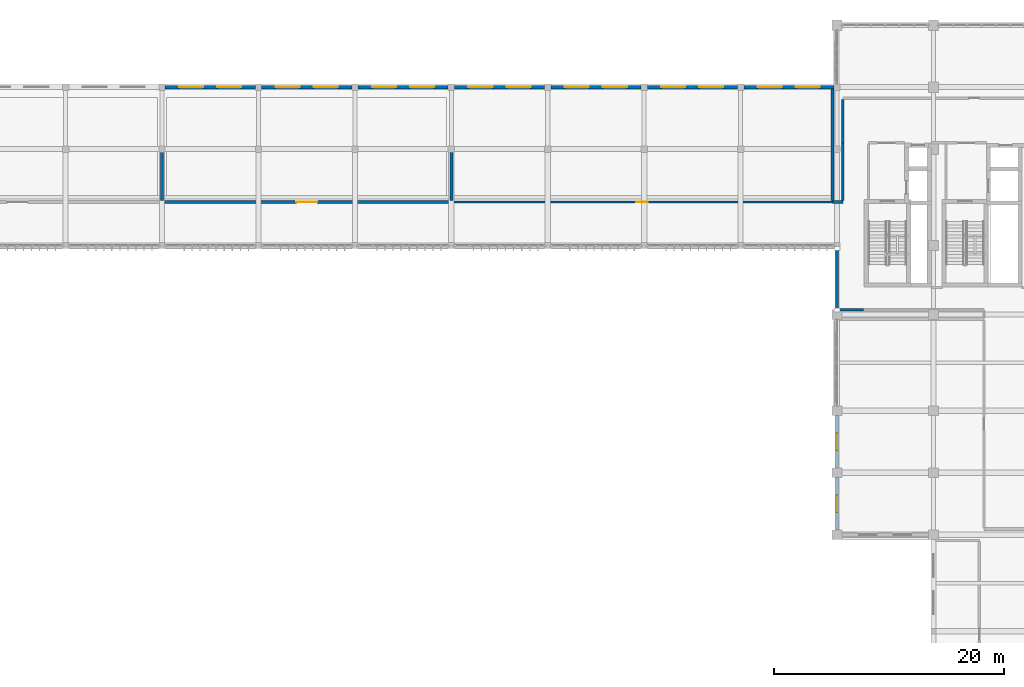
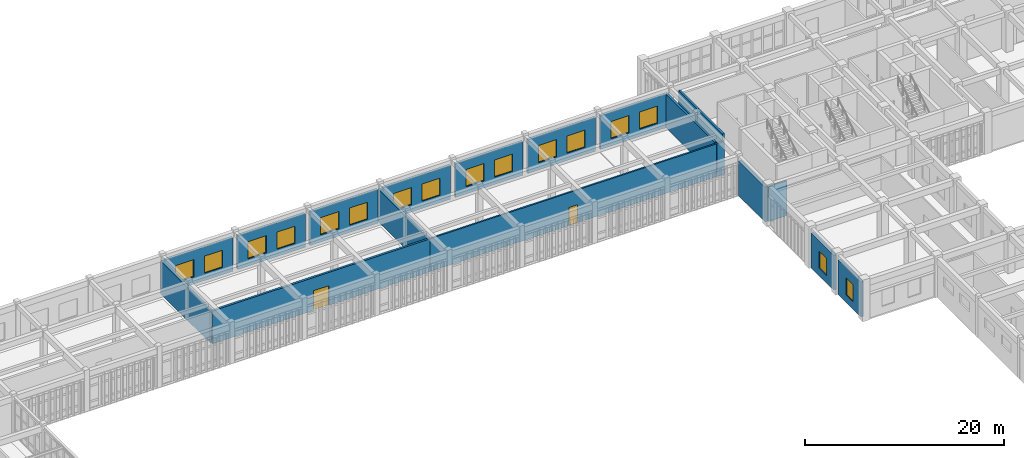
# One storey, part 92 of 106: 19 walls, 16 windows, 2 doors, 18 openings.
"""IFC4 building model written with IfcOpenShell, lengths in metres."""

from ifc_helpers import new_model, si_unit, direction, frame, frame_2d, origin, place, context, subcontext, project, spatial, rectangle, extrude, material, layer, layer_set, type_object, element, fill, save


model = new_model("IFC4")

# Units and contexts
model_context = context("Model", 3, precision=1e-05, world=origin(), true_north=direction((0.0, 1.0)))
body_context = subcontext(model_context, "Body", "Model", "MODEL_VIEW")
ifc_project = project(units=[si_unit("LENGTHUNIT", "METRE"), si_unit("AREAUNIT", "SQUARE_METRE"), si_unit("VOLUMEUNIT", "CUBIC_METRE"), si_unit("PLANEANGLEUNIT", "RADIAN"), si_unit("MASSUNIT", "GRAM", prefix="KILO")], contexts=[model_context])

# Site, building, storey
site_placement = place(None, origin())
site = spatial("IfcSite", under=ifc_project, at=site_placement, CompositionType="ELEMENT")
building_placement = place(site_placement, origin())
building = spatial("IfcBuilding", under=site, at=building_placement, Name="Krzemoval Escarpment Law Courts", CompositionType="ELEMENT")
storey_placement = place(building_placement, frame((0.0, 0.0, 5.10009765625)))
storey = spatial("IfcBuildingStorey", under=building, at=storey_placement, Name="L01", CompositionType="ELEMENT", Elevation=5.10009765625)

# Wall, openings, windows
ifc_material_1 = material(Name="Precast concrete C40/50", Category="concrete")
ifc_layer_1 = layer(ifc_material_1, 0.300048828125)
ifc_layer_set_1 = layer_set([ifc_layer_1], Name="Precast concrete C40/50")
wall_type_1 = type_object("IfcWallType", Name="WL-EXT-300", PredefinedType="SOLIDWALL", material=ifc_layer_set_1)
wall_1_placement = place(storey_placement, frame((67.47509765625, 113.39990234375, 0.0), z_axis=(0.0, 0.0, 1.0), x_axis=(1.0, 0.0, 0.0)))
wall_1 = element("IfcWall", 1, at=wall_1_placement, inside=storey, type_object=wall_type_1, Name="Exterior Wall EW-L01-0189", PredefinedType="SOLIDWALL", context=body_context, shape_type="SweptSolid", body=[
    extrude(rectangle(XDim=7.849853515625, YDim=0.300048828125, at=frame_2d((3.9248046875, 0.0))), origin(), (0.0, 0.0, 1.0), 4.119873046875),
])
opening_1_placement = place(wall_1_placement, frame((1.217041015625, 0.0, 0.89990234375)))
opening_1 = element("IfcOpeningElement", 2, at=opening_1_placement, cuts=wall_1, Name="Opening WN-L01-0173", PredefinedType="OPENING", context=body_context, shape_type="SweptSolid", body=[
    extrude(rectangle(XDim=2.10009765625, YDim=2.10009765625, at=frame_2d((1.050048828125, 1.050048828125))), frame((0.0, 0.16502, 0.0), z_axis=(0.0, -1.0, 0.0), x_axis=(1.0, 0.0, 0.0)), (0.0, 0.0, 1.0), 0.33005),
])
opening_2_placement = place(wall_1_placement, frame((4.532958984375, 0.0, 0.89990234375)))
opening_2 = element("IfcOpeningElement", 3, at=opening_2_placement, cuts=wall_1, Name="Opening WN-L01-0174", PredefinedType="OPENING", context=body_context, shape_type="SweptSolid", body=[
    extrude(rectangle(XDim=2.10009765625, YDim=2.10009765625, at=frame_2d((1.050048828125, 1.050048828125))), frame((0.0, 0.16502, 0.0), z_axis=(0.0, -1.0, 0.0), x_axis=(1.0, 0.0, 0.0)), (0.0, 0.0, 1.0), 0.33005),
])
ifc_material_2 = material(Name="Thermally Broken Aluminium Frame with Triple Low-E Acoustic Glass", Category="aluminium")
window_type_1 = type_object("IfcWindowType", Name="WN-2100x2100", PartitioningType="SINGLE_PANEL", PredefinedType="WINDOW", material=ifc_material_2)
window_1_placement = place(opening_1_placement, origin())
window_1 = element("IfcWindow", 4, at=window_1_placement, inside=storey, type_object=window_type_1, Name="Facade Window WN-L01-0173", OverallHeight=2.10009765625, OverallWidth=2.10009765625, PartitioningType="SINGLE_PANEL", PredefinedType="WINDOW", context=body_context, shape_type="SweptSolid", body=[
    extrude(rectangle(XDim=2.10009765625, YDim=2.10009765625, at=frame_2d((1.050048828125, 1.050048828125))), frame((0.0, 0.030029296875, 0.0), z_axis=(0.0, -1.0, 0.0), x_axis=(1.0, 0.0, 0.0)), (0.0, 0.0, 1.0), 0.06005859375),
])
fill(opening_1, window_1)
window_2_placement = place(opening_2_placement, origin())
window_2 = element("IfcWindow", 5, at=window_2_placement, inside=storey, type_object=window_type_1, Name="Facade Window WN-L01-0174", OverallHeight=2.10009765625, OverallWidth=2.10009765625, PartitioningType="SINGLE_PANEL", PredefinedType="WINDOW", context=body_context, shape_type="SweptSolid", body=[
    extrude(rectangle(XDim=2.10009765625, YDim=2.10009765625, at=frame_2d((1.050048828125, 1.050048828125))), frame((0.0, 0.030029296875, 0.0), z_axis=(0.0, -1.0, 0.0), x_axis=(1.0, 0.0, 0.0)), (0.0, 0.0, 1.0), 0.06005859375),
])
fill(opening_2, window_2)

wall_2_placement = place(storey_placement, frame((75.875, 113.39990234375, 0.0), z_axis=(0.0, 0.0, 1.0), x_axis=(1.0, 0.0, 0.0)))
wall_2 = element("IfcWall", 6, at=wall_2_placement, inside=storey, type_object=wall_type_1, Name="Exterior Wall EW-L01-0190", PredefinedType="SOLIDWALL", context=body_context, shape_type="SweptSolid", body=[
    extrude(rectangle(XDim=7.85009765625, YDim=0.300048828125, at=frame_2d((3.925048828125, 0.0))), origin(), (0.0, 0.0, 1.0), 4.119873046875),
])
opening_3_placement = place(wall_2_placement, frame((1.217041015625, 0.0, 0.89990234375)))
opening_3 = element("IfcOpeningElement", 7, at=opening_3_placement, cuts=wall_2, Name="Opening WN-L01-0175", PredefinedType="OPENING", context=body_context, shape_type="SweptSolid", body=[
    extrude(rectangle(XDim=2.10009765625, YDim=2.10009765625, at=frame_2d((1.050048828125, 1.050048828125))), frame((0.0, 0.16502, 0.0), z_axis=(0.0, -1.0, 0.0), x_axis=(1.0, 0.0, 0.0)), (0.0, 0.0, 1.0), 0.33005),
])
opening_4_placement = place(wall_2_placement, frame((4.532958984375, 0.0, 0.89990234375)))
opening_4 = element("IfcOpeningElement", 8, at=opening_4_placement, cuts=wall_2, Name="Opening WN-L01-0176", PredefinedType="OPENING", context=body_context, shape_type="SweptSolid", body=[
    extrude(rectangle(XDim=2.10009765625, YDim=2.10009765625, at=frame_2d((1.050048828125, 1.050048828125))), frame((0.0, 0.16502, 0.0), z_axis=(0.0, -1.0, 0.0), x_axis=(1.0, 0.0, 0.0)), (0.0, 0.0, 1.0), 0.33005),
])
window_3_placement = place(opening_3_placement, origin())
window_3 = element("IfcWindow", 9, at=window_3_placement, inside=storey, type_object=window_type_1, Name="Facade Window WN-L01-0175", OverallHeight=2.10009765625, OverallWidth=2.10009765625, PartitioningType="SINGLE_PANEL", PredefinedType="WINDOW", context=body_context, shape_type="SweptSolid", body=[
    extrude(rectangle(XDim=2.10009765625, YDim=2.10009765625, at=frame_2d((1.050048828125, 1.050048828125))), frame((0.0, 0.030029296875, 0.0), z_axis=(0.0, -1.0, 0.0), x_axis=(1.0, 0.0, 0.0)), (0.0, 0.0, 1.0), 0.06005859375),
])
fill(opening_3, window_3)
window_4_placement = place(opening_4_placement, origin())
window_4 = element("IfcWindow", 10, at=window_4_placement, inside=storey, type_object=window_type_1, Name="Facade Window WN-L01-0176", OverallHeight=2.10009765625, OverallWidth=2.10009765625, PartitioningType="SINGLE_PANEL", PredefinedType="WINDOW", context=body_context, shape_type="SweptSolid", body=[
    extrude(rectangle(XDim=2.10009765625, YDim=2.10009765625, at=frame_2d((1.050048828125, 1.050048828125))), frame((0.0, 0.030029296875, 0.0), z_axis=(0.0, -1.0, 0.0), x_axis=(1.0, 0.0, 0.0)), (0.0, 0.0, 1.0), 0.06005859375),
])
fill(opening_4, window_4)

wall_3_placement = place(storey_placement, frame((84.27490234375, 113.39990234375, 0.0), z_axis=(0.0, 0.0, 1.0), x_axis=(1.0, 0.0, 0.0)))
wall_3 = element("IfcWall", 11, at=wall_3_placement, inside=storey, type_object=wall_type_1, Name="Exterior Wall EW-L01-0191", PredefinedType="SOLIDWALL", context=body_context, shape_type="SweptSolid", body=[
    extrude(rectangle(XDim=7.85009765625, YDim=0.300048828125, at=frame_2d((3.925048828125, 0.0))), origin(), (0.0, 0.0, 1.0), 4.119873046875),
])
opening_5_placement = place(wall_3_placement, frame((1.217041015625, 0.0, 0.89990234375)))
opening_5 = element("IfcOpeningElement", 12, at=opening_5_placement, cuts=wall_3, Name="Opening WN-L01-0177", PredefinedType="OPENING", context=body_context, shape_type="SweptSolid", body=[
    extrude(rectangle(XDim=2.10009765625, YDim=2.10009765625, at=frame_2d((1.050048828125, 1.050048828125))), frame((0.0, 0.16502, 0.0), z_axis=(0.0, -1.0, 0.0), x_axis=(1.0, 0.0, 0.0)), (0.0, 0.0, 1.0), 0.33005),
])
opening_6_placement = place(wall_3_placement, frame((4.532958984375, 0.0, 0.89990234375)))
opening_6 = element("IfcOpeningElement", 13, at=opening_6_placement, cuts=wall_3, Name="Opening WN-L01-0178", PredefinedType="OPENING", context=body_context, shape_type="SweptSolid", body=[
    extrude(rectangle(XDim=2.10009765625, YDim=2.10009765625, at=frame_2d((1.050048828125, 1.050048828125))), frame((0.0, 0.16502, 0.0), z_axis=(0.0, -1.0, 0.0), x_axis=(1.0, 0.0, 0.0)), (0.0, 0.0, 1.0), 0.33005),
])
window_5_placement = place(opening_5_placement, origin())
window_5 = element("IfcWindow", 14, at=window_5_placement, inside=storey, type_object=window_type_1, Name="Facade Window WN-L01-0177", OverallHeight=2.10009765625, OverallWidth=2.10009765625, PartitioningType="SINGLE_PANEL", PredefinedType="WINDOW", context=body_context, shape_type="SweptSolid", body=[
    extrude(rectangle(XDim=2.10009765625, YDim=2.10009765625, at=frame_2d((1.050048828125, 1.050048828125))), frame((0.0, 0.030029296875, 0.0), z_axis=(0.0, -1.0, 0.0), x_axis=(1.0, 0.0, 0.0)), (0.0, 0.0, 1.0), 0.06005859375),
])
fill(opening_5, window_5)
window_6_placement = place(opening_6_placement, origin())
window_6 = element("IfcWindow", 15, at=window_6_placement, inside=storey, type_object=window_type_1, Name="Facade Window WN-L01-0178", OverallHeight=2.10009765625, OverallWidth=2.10009765625, PartitioningType="SINGLE_PANEL", PredefinedType="WINDOW", context=body_context, shape_type="SweptSolid", body=[
    extrude(rectangle(XDim=2.10009765625, YDim=2.10009765625, at=frame_2d((1.050048828125, 1.050048828125))), frame((0.0, 0.030029296875, 0.0), z_axis=(0.0, -1.0, 0.0), x_axis=(1.0, 0.0, 0.0)), (0.0, 0.0, 1.0), 0.06005859375),
])
fill(opening_6, window_6)

wall_4_placement = place(storey_placement, frame((92.675048828125, 113.39990234375, 0.0), z_axis=(0.0, 0.0, 1.0), x_axis=(1.0, 0.0, 0.0)))
wall_4 = element("IfcWall", 16, at=wall_4_placement, inside=storey, type_object=wall_type_1, Name="Exterior Wall EW-L01-0192", PredefinedType="SOLIDWALL", context=body_context, shape_type="SweptSolid", body=[
    extrude(rectangle(XDim=7.849853515625, YDim=0.300048828125, at=frame_2d((3.9248046875, 0.0))), origin(), (0.0, 0.0, 1.0), 4.119873046875),
])
opening_7_placement = place(wall_4_placement, frame((1.217041015625, 0.0, 0.89990234375)))
opening_7 = element("IfcOpeningElement", 17, at=opening_7_placement, cuts=wall_4, Name="Opening WN-L01-0179", PredefinedType="OPENING", context=body_context, shape_type="SweptSolid", body=[
    extrude(rectangle(XDim=2.10009765625, YDim=2.10009765625, at=frame_2d((1.050048828125, 1.050048828125))), frame((0.0, 0.16502, 0.0), z_axis=(0.0, -1.0, 0.0), x_axis=(1.0, 0.0, 0.0)), (0.0, 0.0, 1.0), 0.33005),
])
opening_8_placement = place(wall_4_placement, frame((4.532958984375, 0.0, 0.89990234375)))
opening_8 = element("IfcOpeningElement", 18, at=opening_8_placement, cuts=wall_4, Name="Opening WN-L01-0180", PredefinedType="OPENING", context=body_context, shape_type="SweptSolid", body=[
    extrude(rectangle(XDim=2.10009765625, YDim=2.10009765625, at=frame_2d((1.050048828125, 1.050048828125))), frame((0.0, 0.16502, 0.0), z_axis=(0.0, -1.0, 0.0), x_axis=(1.0, 0.0, 0.0)), (0.0, 0.0, 1.0), 0.33005),
])
window_7_placement = place(opening_7_placement, origin())
window_7 = element("IfcWindow", 19, at=window_7_placement, inside=storey, type_object=window_type_1, Name="Facade Window WN-L01-0179", OverallHeight=2.10009765625, OverallWidth=2.10009765625, PartitioningType="SINGLE_PANEL", PredefinedType="WINDOW", context=body_context, shape_type="SweptSolid", body=[
    extrude(rectangle(XDim=2.10009765625, YDim=2.10009765625, at=frame_2d((1.050048828125, 1.050048828125))), frame((0.0, 0.030029296875, 0.0), z_axis=(0.0, -1.0, 0.0), x_axis=(1.0, 0.0, 0.0)), (0.0, 0.0, 1.0), 0.06005859375),
])
fill(opening_7, window_7)
window_8_placement = place(opening_8_placement, origin())
window_8 = element("IfcWindow", 20, at=window_8_placement, inside=storey, type_object=window_type_1, Name="Facade Window WN-L01-0180", OverallHeight=2.10009765625, OverallWidth=2.10009765625, PartitioningType="SINGLE_PANEL", PredefinedType="WINDOW", context=body_context, shape_type="SweptSolid", body=[
    extrude(rectangle(XDim=2.10009765625, YDim=2.10009765625, at=frame_2d((1.050048828125, 1.050048828125))), frame((0.0, 0.030029296875, 0.0), z_axis=(0.0, -1.0, 0.0), x_axis=(1.0, 0.0, 0.0)), (0.0, 0.0, 1.0), 0.06005859375),
])
fill(opening_8, window_8)

wall_5_placement = place(storey_placement, frame((101.074951171875, 113.39990234375, 0.0), z_axis=(0.0, 0.0, 1.0), x_axis=(1.0, 0.0, 0.0)))
wall_5 = element("IfcWall", 21, at=wall_5_placement, inside=storey, type_object=wall_type_1, Name="Exterior Wall EW-L01-0193", PredefinedType="SOLIDWALL", context=body_context, shape_type="SweptSolid", body=[
    extrude(rectangle(XDim=7.85009765625, YDim=0.300048828125, at=frame_2d((3.925048828125, 0.0))), origin(), (0.0, 0.0, 1.0), 4.119873046875),
])
opening_9_placement = place(wall_5_placement, frame((1.217041015625, 0.0, 0.89990234375)))
opening_9 = element("IfcOpeningElement", 22, at=opening_9_placement, cuts=wall_5, Name="Opening WN-L01-0181", PredefinedType="OPENING", context=body_context, shape_type="SweptSolid", body=[
    extrude(rectangle(XDim=2.10009765625, YDim=2.10009765625, at=frame_2d((1.050048828125, 1.050048828125))), frame((0.0, 0.16502, 0.0), z_axis=(0.0, -1.0, 0.0), x_axis=(1.0, 0.0, 0.0)), (0.0, 0.0, 1.0), 0.33005),
])
opening_10_placement = place(wall_5_placement, frame((4.532958984375, 0.0, 0.89990234375)))
opening_10 = element("IfcOpeningElement", 23, at=opening_10_placement, cuts=wall_5, Name="Opening WN-L01-0182", PredefinedType="OPENING", context=body_context, shape_type="SweptSolid", body=[
    extrude(rectangle(XDim=2.10009765625, YDim=2.10009765625, at=frame_2d((1.050048828125, 1.050048828125))), frame((0.0, 0.16502, 0.0), z_axis=(0.0, -1.0, 0.0), x_axis=(1.0, 0.0, 0.0)), (0.0, 0.0, 1.0), 0.33005),
])
window_9_placement = place(opening_9_placement, origin())
window_9 = element("IfcWindow", 24, at=window_9_placement, inside=storey, type_object=window_type_1, Name="Facade Window WN-L01-0181", OverallHeight=2.10009765625, OverallWidth=2.10009765625, PartitioningType="SINGLE_PANEL", PredefinedType="WINDOW", context=body_context, shape_type="SweptSolid", body=[
    extrude(rectangle(XDim=2.10009765625, YDim=2.10009765625, at=frame_2d((1.050048828125, 1.050048828125))), frame((0.0, 0.030029296875, 0.0), z_axis=(0.0, -1.0, 0.0), x_axis=(1.0, 0.0, 0.0)), (0.0, 0.0, 1.0), 0.06005859375),
])
fill(opening_9, window_9)
window_10_placement = place(opening_10_placement, origin())
window_10 = element("IfcWindow", 25, at=window_10_placement, inside=storey, type_object=window_type_1, Name="Facade Window WN-L01-0182", OverallHeight=2.10009765625, OverallWidth=2.10009765625, PartitioningType="SINGLE_PANEL", PredefinedType="WINDOW", context=body_context, shape_type="SweptSolid", body=[
    extrude(rectangle(XDim=2.10009765625, YDim=2.10009765625, at=frame_2d((1.050048828125, 1.050048828125))), frame((0.0, 0.030029296875, 0.0), z_axis=(0.0, -1.0, 0.0), x_axis=(1.0, 0.0, 0.0)), (0.0, 0.0, 1.0), 0.06005859375),
])
fill(opening_10, window_10)

wall_6_placement = place(storey_placement, frame((109.47509765625, 113.39990234375, 0.0), z_axis=(0.0, 0.0, 1.0), x_axis=(1.0, 0.0, 0.0)))
wall_6 = element("IfcWall", 26, at=wall_6_placement, inside=storey, type_object=wall_type_1, Name="Exterior Wall EW-L01-0194", PredefinedType="SOLIDWALL", context=body_context, shape_type="SweptSolid", body=[
    extrude(rectangle(XDim=7.849853515625, YDim=0.300048828125, at=frame_2d((3.9248046875, 0.0))), origin(), (0.0, 0.0, 1.0), 4.119873046875),
])
opening_11_placement = place(wall_6_placement, frame((1.217041015625, 0.0, 0.89990234375)))
opening_11 = element("IfcOpeningElement", 27, at=opening_11_placement, cuts=wall_6, Name="Opening WN-L01-0183", PredefinedType="OPENING", context=body_context, shape_type="SweptSolid", body=[
    extrude(rectangle(XDim=2.10009765625, YDim=2.10009765625, at=frame_2d((1.050048828125, 1.050048828125))), frame((0.0, 0.16502, 0.0), z_axis=(0.0, -1.0, 0.0), x_axis=(1.0, 0.0, 0.0)), (0.0, 0.0, 1.0), 0.33005),
])
opening_12_placement = place(wall_6_placement, frame((4.532958984375, 0.0, 0.89990234375)))
opening_12 = element("IfcOpeningElement", 28, at=opening_12_placement, cuts=wall_6, Name="Opening WN-L01-0184", PredefinedType="OPENING", context=body_context, shape_type="SweptSolid", body=[
    extrude(rectangle(XDim=2.10009765625, YDim=2.10009765625, at=frame_2d((1.050048828125, 1.050048828125))), frame((0.0, 0.16502, 0.0), z_axis=(0.0, -1.0, 0.0), x_axis=(1.0, 0.0, 0.0)), (0.0, 0.0, 1.0), 0.33005),
])
window_11_placement = place(opening_11_placement, origin())
window_11 = element("IfcWindow", 29, at=window_11_placement, inside=storey, type_object=window_type_1, Name="Facade Window WN-L01-0183", OverallHeight=2.10009765625, OverallWidth=2.10009765625, PartitioningType="SINGLE_PANEL", PredefinedType="WINDOW", context=body_context, shape_type="SweptSolid", body=[
    extrude(rectangle(XDim=2.10009765625, YDim=2.10009765625, at=frame_2d((1.050048828125, 1.050048828125))), frame((0.0, 0.030029296875, 0.0), z_axis=(0.0, -1.0, 0.0), x_axis=(1.0, 0.0, 0.0)), (0.0, 0.0, 1.0), 0.06005859375),
])
fill(opening_11, window_11)
window_12_placement = place(opening_12_placement, origin())
window_12 = element("IfcWindow", 30, at=window_12_placement, inside=storey, type_object=window_type_1, Name="Facade Window WN-L01-0184", OverallHeight=2.10009765625, OverallWidth=2.10009765625, PartitioningType="SINGLE_PANEL", PredefinedType="WINDOW", context=body_context, shape_type="SweptSolid", body=[
    extrude(rectangle(XDim=2.10009765625, YDim=2.10009765625, at=frame_2d((1.050048828125, 1.050048828125))), frame((0.0, 0.030029296875, 0.0), z_axis=(0.0, -1.0, 0.0), x_axis=(1.0, 0.0, 0.0)), (0.0, 0.0, 1.0), 0.06005859375),
])
fill(opening_12, window_12)

wall_7_placement = place(storey_placement, frame((117.875, 113.39990234375, 0.0), z_axis=(0.0, 0.0, 1.0), x_axis=(1.0, 0.0, 0.0)))
wall_7 = element("IfcWall", 31, at=wall_7_placement, inside=storey, type_object=wall_type_1, Name="Exterior Wall EW-L01-0195", PredefinedType="SOLIDWALL", context=body_context, shape_type="SweptSolid", body=[
    extrude(rectangle(XDim=7.85009765625, YDim=0.300048828125, at=frame_2d((3.925048828125, 0.0))), origin(), (0.0, 0.0, 1.0), 4.119873046875),
])
opening_13_placement = place(wall_7_placement, frame((1.217041015625, 0.0, 0.89990234375)))
opening_13 = element("IfcOpeningElement", 32, at=opening_13_placement, cuts=wall_7, Name="Opening WN-L01-0185", PredefinedType="OPENING", context=body_context, shape_type="SweptSolid", body=[
    extrude(rectangle(XDim=2.10009765625, YDim=2.10009765625, at=frame_2d((1.050048828125, 1.050048828125))), frame((0.0, 0.16502, 0.0), z_axis=(0.0, -1.0, 0.0), x_axis=(1.0, 0.0, 0.0)), (0.0, 0.0, 1.0), 0.33005),
])
opening_14_placement = place(wall_7_placement, frame((4.532958984375, 0.0, 0.89990234375)))
opening_14 = element("IfcOpeningElement", 33, at=opening_14_placement, cuts=wall_7, Name="Opening WN-L01-0186", PredefinedType="OPENING", context=body_context, shape_type="SweptSolid", body=[
    extrude(rectangle(XDim=2.10009765625, YDim=2.10009765625, at=frame_2d((1.050048828125, 1.050048828125))), frame((0.0, 0.16502, 0.0), z_axis=(0.0, -1.0, 0.0), x_axis=(1.0, 0.0, 0.0)), (0.0, 0.0, 1.0), 0.33005),
])
window_13_placement = place(opening_13_placement, origin())
window_13 = element("IfcWindow", 34, at=window_13_placement, inside=storey, type_object=window_type_1, Name="Facade Window WN-L01-0185", OverallHeight=2.10009765625, OverallWidth=2.10009765625, PartitioningType="SINGLE_PANEL", PredefinedType="WINDOW", context=body_context, shape_type="SweptSolid", body=[
    extrude(rectangle(XDim=2.10009765625, YDim=2.10009765625, at=frame_2d((1.050048828125, 1.050048828125))), frame((0.0, 0.030029296875, 0.0), z_axis=(0.0, -1.0, 0.0), x_axis=(1.0, 0.0, 0.0)), (0.0, 0.0, 1.0), 0.06005859375),
])
fill(opening_13, window_13)
window_14_placement = place(opening_14_placement, origin())
window_14 = element("IfcWindow", 35, at=window_14_placement, inside=storey, type_object=window_type_1, Name="Facade Window WN-L01-0186", OverallHeight=2.10009765625, OverallWidth=2.10009765625, PartitioningType="SINGLE_PANEL", PredefinedType="WINDOW", context=body_context, shape_type="SweptSolid", body=[
    extrude(rectangle(XDim=2.10009765625, YDim=2.10009765625, at=frame_2d((1.050048828125, 1.050048828125))), frame((0.0, 0.030029296875, 0.0), z_axis=(0.0, -1.0, 0.0), x_axis=(1.0, 0.0, 0.0)), (0.0, 0.0, 1.0), 0.06005859375),
])
fill(opening_14, window_14)

# Wall, opening, window
wall_8_placement = place(storey_placement, frame((126.0, 74.824951171875, 0.0), z_axis=(0.0, 0.0, 1.0), x_axis=(0.0, 1.0, 0.0)))
wall_8 = element("IfcWall", 36, at=wall_8_placement, inside=storey, type_object=wall_type_1, Name="Exterior Wall EW-L01-0254", PredefinedType="SOLIDWALL", context=body_context, shape_type="SweptSolid", body=[
    extrude(rectangle(XDim=4.550048828125, YDim=0.300048828125, at=frame_2d((2.27490234375, 0.0))), origin(), (0.0, 0.0, 1.0), 4.27001953125),
])
opening_15_placement = place(wall_8_placement, frame((1.52490234375, 0.0, 0.89990234375)))
opening_15 = element("IfcOpeningElement", 37, at=opening_15_placement, cuts=wall_8, Name="Opening WN-L01-0271", PredefinedType="OPENING", context=body_context, shape_type="SweptSolid", body=[
    extrude(rectangle(XDim=1.5, YDim=2.10009765625, at=frame_2d((0.75, 1.050048828125))), frame((0.0, 0.16502, 0.0), z_axis=(0.0, -1.0, 0.0), x_axis=(1.0, 0.0, 0.0)), (0.0, 0.0, 1.0), 0.33005),
])
ifc_material_3 = material(Name="Thermally Broken Aluminium Frame with Triple Low-E Acoustic Glass", Category="aluminium")
window_type_2 = type_object("IfcWindowType", Name="WN-1500x2100", PartitioningType="SINGLE_PANEL", PredefinedType="WINDOW", material=ifc_material_3)
window_15_placement = place(opening_15_placement, origin())
window_15 = element("IfcWindow", 38, at=window_15_placement, inside=storey, type_object=window_type_2, Name="Facade Window WN-L01-0271", OverallHeight=2.10009765625, OverallWidth=1.5, PartitioningType="SINGLE_PANEL", PredefinedType="WINDOW", context=body_context, shape_type="SweptSolid", body=[
    extrude(rectangle(XDim=1.5, YDim=2.10009765625, at=frame_2d((0.75, 1.050048828125))), frame((0.0, 0.030029296875, 0.0), z_axis=(0.0, -1.0, 0.0), x_axis=(1.0, 0.0, 0.0)), (0.0, 0.0, 1.0), 0.06005859375),
])
fill(opening_15, window_15)

wall_9_placement = place(storey_placement, frame((126.0, 80.22509765625, 0.0), z_axis=(0.0, 0.0, 1.0), x_axis=(0.0, 1.0, 0.0)))
wall_9 = element("IfcWall", 39, at=wall_9_placement, inside=storey, type_object=wall_type_1, Name="Exterior Wall EW-L01-0255", PredefinedType="SOLIDWALL", context=body_context, shape_type="SweptSolid", body=[
    extrude(rectangle(XDim=4.5498046875, YDim=0.300048828125, at=frame_2d((2.27490234375, 0.0))), origin(), (0.0, 0.0, 1.0), 4.27001953125),
])
opening_16_placement = place(wall_9_placement, frame((1.52490234375, 0.0, 0.89990234375)))
opening_16 = element("IfcOpeningElement", 40, at=opening_16_placement, cuts=wall_9, Name="Opening WN-L01-0272", PredefinedType="OPENING", context=body_context, shape_type="SweptSolid", body=[
    extrude(rectangle(XDim=1.5, YDim=2.10009765625, at=frame_2d((0.75, 1.050048828125))), frame((0.0, 0.16502, 0.0), z_axis=(0.0, -1.0, 0.0), x_axis=(1.0, 0.0, 0.0)), (0.0, 0.0, 1.0), 0.33005),
])
window_16_placement = place(opening_16_placement, origin())
window_16 = element("IfcWindow", 41, at=window_16_placement, inside=storey, type_object=window_type_2, Name="Facade Window WN-L01-0272", OverallHeight=2.10009765625, OverallWidth=1.5, PartitioningType="SINGLE_PANEL", PredefinedType="WINDOW", context=body_context, shape_type="SweptSolid", body=[
    extrude(rectangle(XDim=1.5, YDim=2.10009765625, at=frame_2d((0.75, 1.050048828125))), frame((0.0, 0.030029296875, 0.0), z_axis=(0.0, -1.0, 0.0), x_axis=(1.0, 0.0, 0.0)), (0.0, 0.0, 1.0), 0.06005859375),
])
fill(opening_16, window_16)

# Wall
wall_10_placement = place(storey_placement, frame((126.0, 94.02490234375, 0.0), z_axis=(0.0, 0.0, 1.0), x_axis=(0.0, 1.0, 0.0)))
element("IfcWall", 42, at=wall_10_placement, inside=storey, type_object=wall_type_1, Name="Exterior Wall EW-L01-0256", PredefinedType="SOLIDWALL", context=body_context, shape_type="SweptSolid", body=[
    extrude(rectangle(XDim=5.300048828125, YDim=0.300048828125, at=frame_2d((2.64990234375, 0.0))), origin(), (0.0, 0.0, 1.0), 4.27001953125),
])

# Wall, opening, door
ifc_material_4 = material(Name="Judicial Chambers Acoustic Partition", Category="gypsum")
ifc_layer_2 = layer(ifc_material_4, 0.179931640625)
ifc_layer_set_2 = layer_set([ifc_layer_2], Name="Judicial Chambers Acoustic Partition")
wall_type_2 = type_object("IfcWallType", Name="WL-PRT-180", PredefinedType="PARTITIONING", material=ifc_layer_set_2)
wall_11_placement = place(storey_placement, frame((92.39990234375, 103.39990234375, 0.0), z_axis=(0.0, 0.0, 1.0), x_axis=(1.0, 0.0, 0.0)))
wall_11 = element("IfcWall", 43, at=wall_11_placement, inside=storey, type_object=wall_type_2, Name="Interior Partition PW-L01-0287", PredefinedType="PARTITIONING", context=body_context, shape_type="SweptSolid", body=[
    extrude(rectangle(XDim=33.2001953125, YDim=0.179931640625, at=frame_2d((16.60009765625, 0.0))), origin(), (0.0, 0.0, 1.0), 4.02001953125),
])
opening_17_placement = place(wall_11_placement, frame((16.10009765625, 0.0, 0.0)))
opening_17 = element("IfcOpeningElement", 44, at=opening_17_placement, cuts=wall_11, Name="Opening D-L01-0116", PredefinedType="OPENING", context=body_context, shape_type="SweptSolid", body=[
    extrude(rectangle(XDim=1.0, YDim=2.199951171875, at=frame_2d((0.5, 1.10009765625))), frame((0.0, 0.10497, 0.0), z_axis=(0.0, -1.0, 0.0), x_axis=(1.0, 0.0, 0.0)), (0.0, 0.0, 1.0), 0.20993),
])
ifc_material_5 = material(Name="Engineered Solid-Core Oak Acoustic Timber", Category="wood")
door_type_1 = type_object("IfcDoorType", Name="DR-INT-1000x2200", OperationType="SINGLE_SWING_LEFT", PredefinedType="DOOR", material=ifc_material_5)
door_1_placement = place(opening_17_placement, origin())
door_1 = element("IfcDoor", 45, at=door_1_placement, inside=storey, type_object=door_type_1, Name="Room Door D-L01-0116", OperationType="SINGLE_SWING_LEFT", OverallHeight=2.199951171875, OverallWidth=1.0, PredefinedType="DOOR", context=body_context, shape_type="SweptSolid", body=[
    extrude(rectangle(XDim=1.0, YDim=2.199951171875, at=frame_2d((0.5, 1.10009765625))), frame((0.0, 0.02490234375, 0.0), z_axis=(0.0, -1.0, 0.0), x_axis=(1.0, 0.0, 0.0)), (0.0, 0.0, 1.0), 0.050048828125),
])
fill(opening_17, door_1)

# Walls
ifc_material_6 = material(Name="Fire-Rated Corridor Partition Wall", Category="gypsum")
ifc_layer_3 = layer(ifc_material_6, 0.199951171875)
ifc_layer_set_3 = layer_set([ifc_layer_3], Name="Fire-Rated Corridor Partition Wall")
wall_type_3 = type_object("IfcWallType", Name="WL-PRT-200", PredefinedType="PARTITIONING", material=ifc_layer_set_3)
wall_12_placement = place(storey_placement, frame((126.14404296875, 94.0, 0.0), z_axis=(0.0, 0.0, 1.0), x_axis=(1.0, 0.0, 0.0)))
element("IfcWall", 46, at=wall_12_placement, inside=storey, type_object=wall_type_3, Name="Interior Partition PW-L01-0273", PredefinedType="PARTITIONING", context=body_context, shape_type="SweptSolid", body=[
    extrude(rectangle(XDim=2.156005859375, YDim=0.199951171875, at=frame_2d((1.078125, 0.0))), origin(), (0.0, 0.0, 1.0), 4.27001953125),
])
ifc_material_7 = material(Name="Solid Calcium-Silicate Custody Blockwork Partition", Category="masonry")
ifc_layer_4 = layer(ifc_material_7, 0.219970703125)
ifc_layer_set_4 = layer_set([ifc_layer_4], Name="Solid Calcium-Silicate Custody Blockwork Partition")
wall_type_4 = type_object("IfcWallType", Name="WL-PRT-220", PredefinedType="PARTITIONING", material=ifc_layer_set_4)
wall_13_placement = place(storey_placement, frame((126.5, 108.550048828125, 0.0), z_axis=(0.0, 0.0, 1.0), x_axis=(0.0, 1.0, 0.0)))
element("IfcWall", 47, at=wall_13_placement, inside=storey, type_object=wall_type_4, Name="Interior Partition PW-L01-0349", PredefinedType="PARTITIONING", context=body_context, shape_type="SweptSolid", body=[
    extrude(rectangle(XDim=3.787841796875, YDim=0.219970703125, at=frame_2d((1.89404296875, 0.0))), origin(), (0.0, 0.0, 1.0), 4.81982421875),
])
ifc_material_8 = material(Name="Acoustic Courtroom Partition Assembly", Category="gypsum")
ifc_layer_5 = layer(ifc_material_8, 0.239990234375)
ifc_layer_set_5 = layer_set([ifc_layer_5], Name="Acoustic Courtroom Partition Assembly")
wall_type_5 = type_object("IfcWallType", Name="WL-PRT-240", PredefinedType="PARTITIONING", material=ifc_layer_set_5)
wall_14_placement = place(storey_placement, frame((125.60009765625, 103.39990234375, 0.0), z_axis=(0.0, 0.0, 1.0), x_axis=(1.0, 0.0, 0.0)))
element("IfcWall", 48, at=wall_14_placement, inside=storey, type_object=wall_type_5, Name="Interior Partition PW-L01-0284", PredefinedType="PARTITIONING", context=body_context, shape_type="SweptSolid", body=[
    extrude(rectangle(XDim=0.89990234375, YDim=0.239990234375, at=frame_2d((0.449951171875, 0.0))), origin(), (0.0, 0.0, 1.0), 4.02001953125),
])

# Wall, opening, door
wall_15_placement = place(storey_placement, frame((67.199951171875, 103.39990234375, 0.0), z_axis=(0.0, 0.0, 1.0), x_axis=(1.0, 0.0, 0.0)))
wall_15 = element("IfcWall", 49, at=wall_15_placement, inside=storey, type_object=wall_type_5, Name="Interior Partition PW-L01-0286", PredefinedType="PARTITIONING", context=body_context, shape_type="SweptSolid", body=[
    extrude(rectangle(XDim=25.199951171875, YDim=0.239990234375, at=frame_2d((12.60009765625, 0.0))), origin(), (0.0, 0.0, 1.0), 4.02001953125),
])
opening_18_placement = place(wall_15_placement, frame((11.699951171875, 0.0, 0.0)))
opening_18 = element("IfcOpeningElement", 50, at=opening_18_placement, cuts=wall_15, Name="Opening D-L01-0115", PredefinedType="OPENING", context=body_context, shape_type="SweptSolid", body=[
    extrude(rectangle(XDim=1.800048828125, YDim=2.39990234375, at=frame_2d((0.89990234375, 1.199951171875))), frame((0.0, 0.135, 0.0), z_axis=(0.0, -1.0, 0.0), x_axis=(1.0, 0.0, 0.0)), (0.0, 0.0, 1.0), 0.26999),
])
ifc_material_9 = material(Name="Engineered Solid-Core Oak Acoustic Timber", Category="wood")
door_type_2 = type_object("IfcDoorType", Name="DR-CRT-1800x2400", OperationType="SINGLE_SWING_LEFT", PredefinedType="DOOR", material=ifc_material_9)
door_2_placement = place(opening_18_placement, origin())
door_2 = element("IfcDoor", 51, at=door_2_placement, inside=storey, type_object=door_type_2, Name="Room Door D-L01-0115", OperationType="SINGLE_SWING_LEFT", OverallHeight=2.39990234375, OverallWidth=1.800048828125, PredefinedType="DOOR", context=body_context, shape_type="SweptSolid", body=[
    extrude(rectangle(XDim=1.800048828125, YDim=2.39990234375, at=frame_2d((0.89990234375, 1.199951171875))), frame((0.0, 0.02490234375, 0.0), z_axis=(0.0, -1.0, 0.0), x_axis=(1.0, 0.0, 0.0)), (0.0, 0.0, 1.0), 0.050048828125),
])
fill(opening_18, door_2)

# Walls
wall_16_placement = place(storey_placement, frame((125.60009765625, 103.52197265625, 0.0), z_axis=(0.0, 0.0, 1.0), x_axis=(0.0, 1.0, 0.0)))
element("IfcWall", 52, at=wall_16_placement, inside=storey, type_object=wall_type_5, Name="Interior Partition PW-L01-0347", PredefinedType="PARTITIONING", context=body_context, shape_type="SweptSolid", body=[
    extrude(rectangle(XDim=9.72607421875, YDim=0.239990234375, at=frame_2d((4.863037109375, 0.0))), origin(), (0.0, 0.0, 1.0), 4.119873046875),
])
wall_17_placement = place(storey_placement, frame((126.5, 103.52197265625, 0.0), z_axis=(0.0, 0.0, 1.0), x_axis=(0.0, 1.0, 0.0)))
element("IfcWall", 53, at=wall_17_placement, inside=storey, type_object=wall_type_5, Name="Interior Partition PW-L01-0348", PredefinedType="PARTITIONING", context=body_context, shape_type="SweptSolid", body=[
    extrude(rectangle(XDim=5.028076171875, YDim=0.239990234375, at=frame_2d((2.51416015625, 0.0))), origin(), (0.0, 0.0, 1.0), 4.81982421875),
])
ifc_material_10 = material(Name="Acoustic Double-Stud Gypsum and Mineral Wool Wall", Category="gypsum")
ifc_layer_6 = layer(ifc_material_10, 0.260009765625)
ifc_layer_set_6 = layer_set([ifc_layer_6], Name="Acoustic Double-Stud Gypsum and Mineral Wool Wall")
wall_type_6 = type_object("IfcWallType", Name="WL-PRT-260", PredefinedType="PARTITIONING", material=ifc_layer_set_6)
wall_18_placement = place(storey_placement, frame((67.199951171875, 103.531982421875, 0.0), z_axis=(0.0, 0.0, 1.0), x_axis=(0.0, 1.0, 0.0)))
element("IfcWall", 54, at=wall_18_placement, inside=storey, type_object=wall_type_6, Name="Interior Partition PW-L01-0325", PredefinedType="PARTITIONING", context=body_context, shape_type="SweptSolid", body=[
    extrude(rectangle(XDim=9.93408203125, YDim=0.260009765625, at=frame_2d((4.967041015625, 0.0))), origin(), (0.0, 0.0, 1.0), 4.02001953125),
])
wall_19_placement = place(storey_placement, frame((92.39990234375, 103.52197265625, 0.0), z_axis=(0.0, 0.0, 1.0), x_axis=(0.0, 1.0, 0.0)))
element("IfcWall", 55, at=wall_19_placement, inside=storey, type_object=wall_type_6, Name="Interior Partition PW-L01-0335", PredefinedType="PARTITIONING", context=body_context, shape_type="SweptSolid", body=[
    extrude(rectangle(XDim=9.944091796875, YDim=0.260009765625, at=frame_2d((4.97216796875, 0.0))), origin(), (0.0, 0.0, 1.0), 4.02001953125),
])

save(model, "model.ifc")
